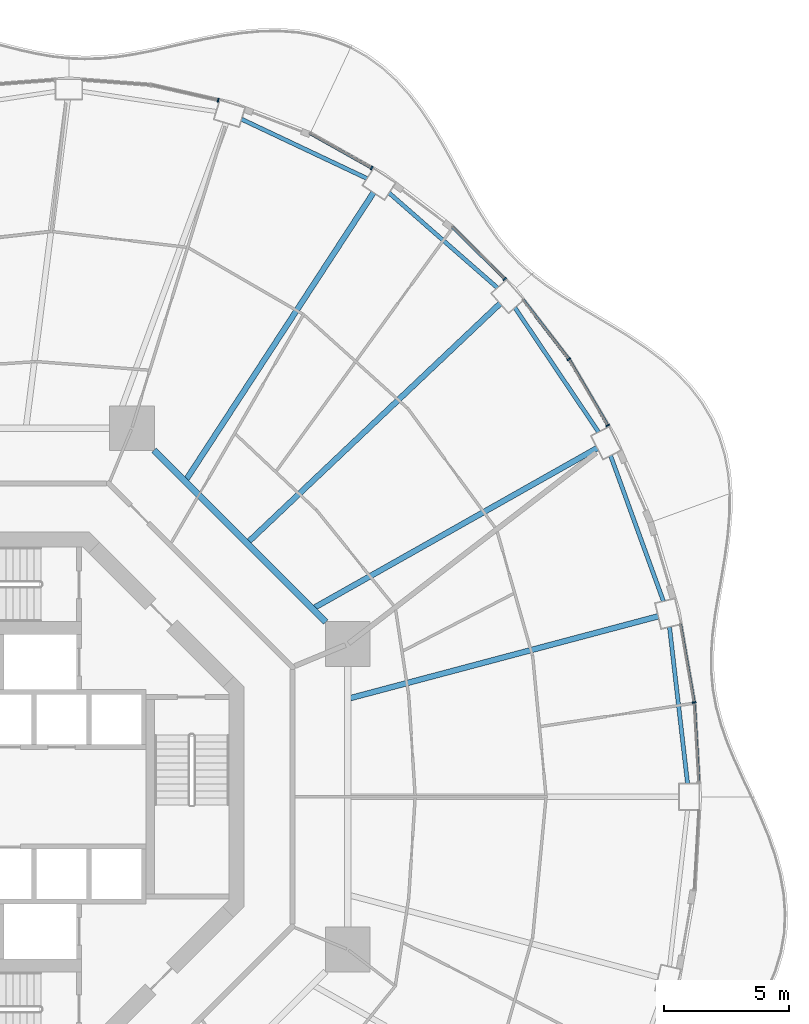
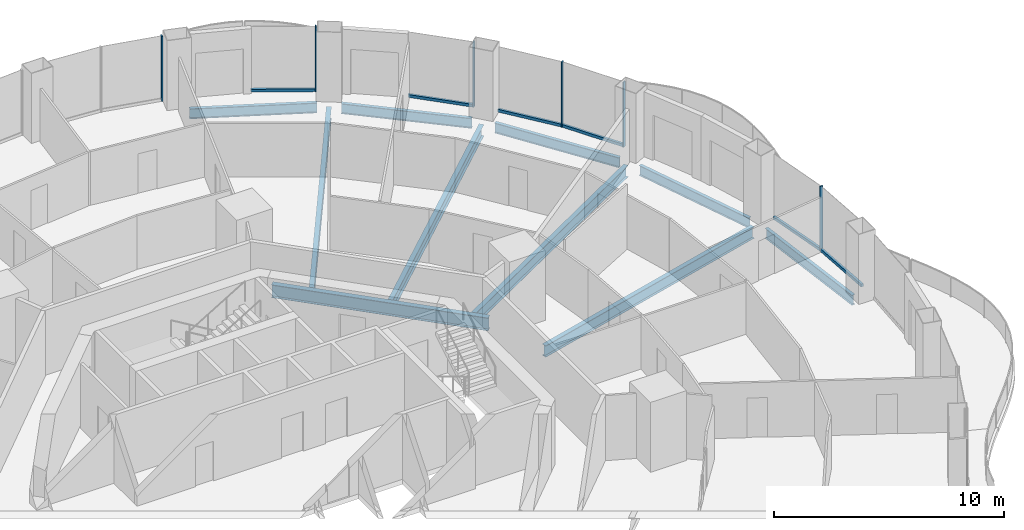
# One storey, part 8 of 19: 12 members, 10 beams, 7 elements without a shape of their own.
"""IFC4 building model written with IfcOpenShell, lengths in metres."""

from ifc_helpers import new_model, si_unit, direction, frame, origin, origin_2d, place, context, subcontext, project, spatial, rectangle, i_section, extrude, material, layer, layer_set, material_profile, profile_set, type_object, element, aggregate, save


model = new_model("IFC4")

# Units and contexts
model_context = context("Model", 3, precision=1e-05, world=origin(), true_north=direction((0.0, 1.0)))
body_context = subcontext(model_context, "Body", "Model", "MODEL_VIEW")
ifc_project = project(units=[si_unit("LENGTHUNIT", "METRE"), si_unit("AREAUNIT", "SQUARE_METRE"), si_unit("VOLUMEUNIT", "CUBIC_METRE"), si_unit("PLANEANGLEUNIT", "RADIAN"), si_unit("MASSUNIT", "GRAM", prefix="KILO")], contexts=[model_context])

# Site, building, storey
site_placement = place(None, origin())
site = spatial("IfcSite", under=ifc_project, at=site_placement, CompositionType="ELEMENT")
building_placement = place(site_placement, origin())
building = spatial("IfcBuilding", under=site, at=building_placement, Name="Nagisa Residences", CompositionType="ELEMENT")
storey_placement = place(building_placement, frame((0.0, 0.0, 199.199951171875)))
storey = spatial("IfcBuildingStorey", under=building, at=storey_placement, Name="L50", CompositionType="ELEMENT", Elevation=199.199951171875)

# Curtain wall, member
ifc_material_1 = material(Name="Concrete-coloured aluminium curtain wall system", Category="concrete")
ifc_layer = layer(ifc_material_1, 0.159912109375)
ifc_layer_set = layer_set([ifc_layer], Name="CW1 CURTAIN WALL")
curtain_wall_type = type_object("IfcCurtainWallType", Name="CW1 CURTAIN WALL", PredefinedType="NOTDEFINED", material=ifc_layer_set)
curtain_wall_1_placement = place(storey_placement, origin())
curtain_wall_1 = element("IfcCurtainWall", 1, at=curtain_wall_1_placement, inside=storey, type_object=curtain_wall_type, Name="cw:CW1:L50:01", PredefinedType="NOTDEFINED")
ifc_material_2 = material(Name="Concrete-coloured aluminium", Category="concrete")
ifc_material_profile_1 = material_profile(ifc_material_2, rectangle(XDim=0.159912109375, YDim=0.06005859375, at=origin_2d()), Name="CW1 MULLION 160x60")
ifc_profile_set_1 = profile_set([ifc_material_profile_1], Name="Concrete-coloured aluminium")
member_type_1 = type_object("IfcMemberType", Name="CW1 MULLION 160x60", PredefinedType="MULLION", material=ifc_profile_set_1)
member_1_placement = place(storey_placement, frame((28.673828125, 3.78466796875, 0.0), z_axis=(0.0, 0.0, 1.0), x_axis=(-0.985063604377, -0.172190868898, 0.0)))
member_1 = element("IfcMember", 2, at=member_1_placement, type_object=member_type_1, Name="CW1 mullion", PredefinedType="MULLION", context=body_context, shape_type="SweptSolid", body=[
    extrude(rectangle(XDim=0.159912109375, YDim=0.06005859375, at=origin_2d()), origin(), (0.0, 0.0, 1.0), 3.43994140625),
])

curtain_wall_2_placement = place(storey_placement, origin())
curtain_wall_2 = element("IfcCurtainWall", 3, at=curtain_wall_2_placement, inside=storey, type_object=curtain_wall_type, Name="cw:CW1:L50:04", PredefinedType="NOTDEFINED")
member_2_placement = place(storey_placement, frame((25.212646484375, 14.897216796875, 0.0), z_axis=(0.0, 0.0, 1.0), x_axis=(-0.862328898214, -0.506348567002, 0.0)))
member_2 = element("IfcMember", 4, at=member_2_placement, type_object=member_type_1, Name="CW1 mullion", PredefinedType="MULLION", context=body_context, shape_type="SweptSolid", body=[
    extrude(rectangle(XDim=0.159912109375, YDim=0.06005859375, at=origin_2d()), origin(), (0.0, 0.0, 1.0), 3.43994140625),
])

curtain_wall_3_placement = place(storey_placement, origin())
curtain_wall_3 = element("IfcCurtainWall", 5, at=curtain_wall_3_placement, inside=storey, type_object=curtain_wall_type, Name="cw:CW1:L50:05", PredefinedType="NOTDEFINED")
member_3_placement = place(storey_placement, frame((23.649658203125, 17.552978515625, 0.0), z_axis=(0.0, 0.0, 1.0), x_axis=(-0.792070340816, -0.610429828235, 0.0)))
member_3 = element("IfcMember", 6, at=member_3_placement, type_object=member_type_1, Name="CW1 mullion", PredefinedType="MULLION", context=body_context, shape_type="SweptSolid", body=[
    extrude(rectangle(XDim=0.159912109375, YDim=0.06005859375, at=origin_2d()), origin(), (0.0, 0.0, 1.0), 3.43994140625),
])

curtain_wall_4_placement = place(storey_placement, origin())
curtain_wall_4 = element("IfcCurtainWall", 7, at=curtain_wall_4_placement, inside=storey, type_object=curtain_wall_type, Name="cw:CW1:L50:06", PredefinedType="NOTDEFINED")
member_4_placement = place(storey_placement, frame((21.07568359375, 20.770751953125, 0.0), z_axis=(0.0, 0.0, 1.0), x_axis=(-0.706376885714, -0.707835924016, 0.0)))
member_4 = element("IfcMember", 8, at=member_4_placement, type_object=member_type_1, Name="CW1 mullion", PredefinedType="MULLION", context=body_context, shape_type="SweptSolid", body=[
    extrude(rectangle(XDim=0.159912109375, YDim=0.06005859375, at=origin_2d()), origin(), (0.0, 0.0, 1.0), 3.43994140625),
])

curtain_wall_5_placement = place(storey_placement, origin())
curtain_wall_5 = element("IfcCurtainWall", 9, at=curtain_wall_5_placement, inside=storey, type_object=curtain_wall_type, Name="cw:CW1:L50:08", PredefinedType="NOTDEFINED")
member_5_placement = place(storey_placement, frame((15.742431640625, 25.220458984375, 0.0), z_axis=(0.0, 0.0, 1.0), x_axis=(-0.489376918501, -0.872072377523, 0.0)))
member_5 = element("IfcMember", 10, at=member_5_placement, type_object=member_type_1, Name="CW1 mullion", PredefinedType="MULLION", context=body_context, shape_type="SweptSolid", body=[
    extrude(rectangle(XDim=0.159912109375, YDim=0.06005859375, at=origin_2d()), origin(), (0.0, 0.0, 1.0), 3.43994140625),
])

curtain_wall_6_placement = place(storey_placement, origin())
curtain_wall_6 = element("IfcCurtainWall", 11, at=curtain_wall_6_placement, inside=storey, type_object=curtain_wall_type, Name="cw:CW1:L50:10", PredefinedType="NOTDEFINED")
member_6_placement = place(storey_placement, frame((9.584228515625, 27.941162109375, 0.0), z_axis=(0.0, 0.0, 1.0), x_axis=(-0.2207639201, -0.975327274089, 0.0)))
member_6 = element("IfcMember", 12, at=member_6_placement, type_object=member_type_1, Name="CW1 mullion", PredefinedType="MULLION", context=body_context, shape_type="SweptSolid", body=[
    extrude(rectangle(XDim=0.159912109375, YDim=0.06005859375, at=origin_2d()), origin(), (0.0, 0.0, 1.0), 3.43994140625),
])
aggregate(curtain_wall_6, [member_6])

curtain_wall_7_placement = place(storey_placement, origin())
curtain_wall_7 = element("IfcCurtainWall", 13, at=curtain_wall_7_placement, inside=storey, type_object=curtain_wall_type, Name="cw:CW1:L50:00", PredefinedType="NOTDEFINED")
ifc_material_3 = material(Name="Concrete-coloured aluminium", Category="concrete")
ifc_material_profile_2 = material_profile(ifc_material_3, rectangle(XDim=0.1201171875, YDim=0.14990234375, at=origin_2d()), Name="CW1 TRANSOM 120x150")
ifc_profile_set_2 = profile_set([ifc_material_profile_2], Name="Concrete-coloured aluminium")
member_type_2 = type_object("IfcMemberType", Name="CW1 TRANSOM 120x150", PredefinedType="USERDEFINED", material=ifc_profile_set_2)
member_7_placement = place(storey_placement, frame((28.863525390625, 0.54443359375, 0.074951171875), z_axis=(-0.057528345118, 0.998343873376, 0.0), x_axis=(-0.998343873376, -0.057528345118, 0.0)))
member_7 = element("IfcMember", 14, at=member_7_placement, type_object=member_type_2, Name="CW1 transom", ObjectType="TRANSOM", PredefinedType="USERDEFINED", context=body_context, shape_type="SweptSolid", body=[
    extrude(rectangle(XDim=0.1201171875, YDim=0.14990234375, at=origin_2d()), origin(), (0.0, 0.0, 1.0), 3.225341796875),
])
aggregate(curtain_wall_7, [member_7])

# Member
member_8_placement = place(storey_placement, frame((28.67919921875, 3.755126953125, 0.074951171875), z_axis=(-0.172236453102, 0.98505563509, 0.0), x_axis=(-0.98505563509, -0.172236453102, 0.0)))
member_8 = element("IfcMember", 15, at=member_8_placement, type_object=member_type_2, Name="CW1 transom", ObjectType="TRANSOM", PredefinedType="USERDEFINED", context=body_context, shape_type="SweptSolid", body=[
    extrude(rectangle(XDim=0.1201171875, YDim=0.14990234375, at=origin_2d()), origin(), (0.0, 0.0, 1.0), 3.210693359375),
])

aggregate(curtain_wall_1, [member_1, member_8])

member_9_placement = place(storey_placement, frame((25.22802734375, 14.871337890625, 0.074951171875), z_axis=(-0.506367803691, 0.862317602386, 0.0), x_axis=(-0.862317602386, -0.506367803691, 0.0)))
member_9 = element("IfcMember", 16, at=member_9_placement, type_object=member_type_2, Name="CW1 transom", ObjectType="TRANSOM", PredefinedType="USERDEFINED", context=body_context, shape_type="SweptSolid", body=[
    extrude(rectangle(XDim=0.1201171875, YDim=0.14990234375, at=origin_2d()), origin(), (0.0, 0.0, 1.0), 3.092041015625),
])

aggregate(curtain_wall_2, [member_2, member_9])

member_10_placement = place(storey_placement, frame((23.66796875, 17.529052734375, 0.074951171875), z_axis=(-0.610398538814, 0.792094453846, 0.0), x_axis=(-0.792094453846, -0.610398538814, 0.0)))
member_10 = element("IfcMember", 17, at=member_10_placement, type_object=member_type_2, Name="CW1 transom", ObjectType="TRANSOM", PredefinedType="USERDEFINED", context=body_context, shape_type="SweptSolid", body=[
    extrude(rectangle(XDim=0.1201171875, YDim=0.14990234375, at=origin_2d()), origin(), (0.0, 0.0, 1.0), 3.035400390625),
])

aggregate(curtain_wall_3, [member_3, member_10])

member_11_placement = place(storey_placement, frame((21.096923828125, 20.74951171875, 0.074951171875), z_axis=(-0.707803821372, 0.706409053206, 0.0), x_axis=(-0.706409053206, -0.707803821372, 0.0)))
member_11 = element("IfcMember", 18, at=member_11_placement, type_object=member_type_2, Name="CW1 transom", ObjectType="TRANSOM", PredefinedType="USERDEFINED", context=body_context, shape_type="SweptSolid", body=[
    extrude(rectangle(XDim=0.1201171875, YDim=0.14990234375, at=origin_2d()), origin(), (0.0, 0.0, 1.0), 2.9755859375),
])

aggregate(curtain_wall_4, [member_4, member_11])

member_12_placement = place(storey_placement, frame((15.768798828125, 25.205810546875, 0.074951171875), z_axis=(-0.872078262455, 0.489366431371, 0.0), x_axis=(-0.489366431371, -0.872078262455, 0.0)))
member_12 = element("IfcMember", 19, at=member_12_placement, type_object=member_type_2, Name="CW1 transom", ObjectType="TRANSOM", PredefinedType="USERDEFINED", context=body_context, shape_type="SweptSolid", body=[
    extrude(rectangle(XDim=0.1201171875, YDim=0.14990234375, at=origin_2d()), origin(), (0.0, 0.0, 1.0), 2.863525390625),
])

aggregate(curtain_wall_5, [member_5, member_12])

# Beams
ifc_material_4 = material(Name="Steel ASTM A572 Gr 50", Category="steel")
ifc_material_profile_3 = material_profile(ifc_material_4, i_section(OverallWidth=0.25390625, OverallDepth=0.68408203125, WebThickness=0.012451171875, FlangeThickness=0.018798828125, at=origin_2d()), Name="W690x140")
ifc_profile_set_3 = profile_set([ifc_material_profile_3], Name="Steel ASTM A572 Gr 50")
beam_type_1 = type_object("IfcBeamType", Name="Inner ring beam W690x140", PredefinedType="BEAM", material=ifc_profile_set_3)
beam_1_placement = place(storey_placement, frame((13.896240234375, 7.0087890625, -0.60205078125), z_axis=(-0.707106781187, 0.707106781187, 0.0), x_axis=(-0.707106781187, -0.707106781187, 0.0)))
element("IfcBeam", 20, at=beam_1_placement, inside=storey, type_object=beam_type_1, Name="beam:L50:ib1", PredefinedType="BEAM", context=body_context, shape_type="SweptSolid", body=[
    extrude(i_section(OverallWidth=0.25390625, OverallDepth=0.68408203125, WebThickness=0.012451171875, FlangeThickness=0.018798828125, at=origin_2d()), origin(), (0.0, 0.0, 1.0), 9.740234375),
])
ifc_material_5 = material(Name="Steel ASTM A572 Gr 50", Category="steel")
ifc_material_profile_4 = material_profile(ifc_material_5, i_section(OverallWidth=0.166015625, OverallDepth=0.534912109375, WebThickness=0.01025390625, FlangeThickness=0.0166015625, at=origin_2d()), Name="W530x85")
ifc_profile_set_4 = profile_set([ifc_material_profile_4], Name="Steel ASTM A572 Gr 50")
beam_type_2 = type_object("IfcBeamType", Name="Perimeter ring beam W530x85", PredefinedType="BEAM", material=ifc_profile_set_4)
beam_2_placement = place(storey_placement, frame((28.413818359375, 0.530029296875, -0.52734375), z_axis=(-0.11463289794, 0.993407921606, 0.0), x_axis=(-0.993407921606, -0.11463289794, 0.0)))
element("IfcBeam", 21, at=beam_2_placement, inside=storey, type_object=beam_type_2, Name="beam:L50:pb01", PredefinedType="BEAM", context=body_context, shape_type="SweptSolid", body=[
    extrude(i_section(OverallWidth=0.166015625, OverallDepth=0.534912109375, WebThickness=0.01025390625, FlangeThickness=0.0166015625, at=origin_2d()), origin(), (0.0, 0.0, 1.0), 6.325439453125),
])
beam_3_placement = place(storey_placement, frame((27.4453125, 7.845703125, -0.52734375), z_axis=(-0.341320243926, 0.939947068237, 0.0), x_axis=(-0.939947068237, -0.341320243926, 0.0)))
element("IfcBeam", 22, at=beam_3_placement, inside=storey, type_object=beam_type_2, Name="beam:L50:pb02", PredefinedType="BEAM", context=body_context, shape_type="SweptSolid", body=[
    extrude(i_section(OverallWidth=0.166015625, OverallDepth=0.534912109375, WebThickness=0.01025390625, FlangeThickness=0.0166015625, at=origin_2d()), origin(), (0.0, 0.0, 1.0), 6.212890625),
])
beam_4_placement = place(storey_placement, frame((24.84423828125, 14.630615234375, -0.52734375), z_axis=(-0.558152301307, 0.829738518177, 0.0), x_axis=(-0.829738518177, -0.558152301307, 0.0)))
element("IfcBeam", 23, at=beam_4_placement, inside=storey, type_object=beam_type_2, Name="beam:L50:pb03", PredefinedType="BEAM", context=body_context, shape_type="SweptSolid", body=[
    extrude(i_section(OverallWidth=0.166015625, OverallDepth=0.534912109375, WebThickness=0.01025390625, FlangeThickness=0.0166015625, at=origin_2d()), origin(), (0.0, 0.0, 1.0), 6.013916015625),
])
beam_5_placement = place(storey_placement, frame((20.786865234375, 20.416259765625, -0.52734375), z_axis=(-0.752461486776, 0.658636250838, 0.0), x_axis=(-0.658636250838, -0.752461486776, 0.0)))
element("IfcBeam", 24, at=beam_5_placement, inside=storey, type_object=beam_type_2, Name="beam:L50:pb04", PredefinedType="BEAM", context=body_context, shape_type="SweptSolid", body=[
    extrude(i_section(OverallWidth=0.166015625, OverallDepth=0.534912109375, WebThickness=0.01025390625, FlangeThickness=0.0166015625, at=origin_2d()), origin(), (0.0, 0.0, 1.0), 5.776611328125),
])
beam_6_placement = place(storey_placement, frame((15.553466796875, 24.80224609375, -0.52734375), z_axis=(-0.904157325884, 0.427199637232, 0.0), x_axis=(-0.427199637232, -0.904157325884, 0.0)))
element("IfcBeam", 25, at=beam_6_placement, inside=storey, type_object=beam_type_2, Name="beam:L50:pb05", PredefinedType="BEAM", context=body_context, shape_type="SweptSolid", body=[
    extrude(i_section(OverallWidth=0.166015625, OverallDepth=0.534912109375, WebThickness=0.01025390625, FlangeThickness=0.0166015625, at=origin_2d()), origin(), (0.0, 0.0, 1.0), 5.56396484375),
])
ifc_material_6 = material(Name="Steel ASTM A572 Gr 50", Category="steel")
ifc_material_profile_5 = material_profile(ifc_material_6, i_section(OverallWidth=0.22802734375, OverallDepth=0.60302734375, WebThickness=0.010498046875, FlangeThickness=0.014892578125, at=origin_2d()), Name="W610x101")
ifc_profile_set_5 = profile_set([ifc_material_profile_5], Name="Steel ASTM A572 Gr 50")
beam_type_3 = type_object("IfcBeamType", Name="Radial beam W610x101", PredefinedType="BEAM", material=ifc_profile_set_5)
beam_7_placement = place(storey_placement, frame((27.23583984375, 7.239990234375, -0.5615234375), z_axis=(-0.966436061719, -0.256907256826, 0.0), x_axis=(0.256907256826, -0.966436061719, 0.0)))
element("IfcBeam", 26, at=beam_7_placement, inside=storey, type_object=beam_type_3, Name="beam:L50:rb02", PredefinedType="BEAM", context=body_context, shape_type="SweptSolid", body=[
    extrude(i_section(OverallWidth=0.22802734375, OverallDepth=0.60302734375, WebThickness=0.010498046875, FlangeThickness=0.014892578125, at=origin_2d()), origin(), (0.0, 0.0, 1.0), 12.77490234375),
])
beam_8_placement = place(storey_placement, frame((24.789306640625, 13.98828125, -0.5615234375), z_axis=(-0.870904520395, -0.491452252366, 0.0), x_axis=(0.491452252366, -0.870904520395, 0.0)))
element("IfcBeam", 27, at=beam_8_placement, inside=storey, type_object=beam_type_3, Name="beam:L50:rb03", PredefinedType="BEAM", context=body_context, shape_type="SweptSolid", body=[
    extrude(i_section(OverallWidth=0.22802734375, OverallDepth=0.60302734375, WebThickness=0.010498046875, FlangeThickness=0.014892578125, at=origin_2d()), origin(), (0.0, 0.0, 1.0), 13.007080078125),
])
beam_9_placement = place(storey_placement, frame((20.89501953125, 19.785400390625, -0.5615234375), z_axis=(-0.726119962477, -0.687568033064, 0.0), x_axis=(0.687568033064, -0.726119962477, 0.0)))
element("IfcBeam", 28, at=beam_9_placement, inside=storey, type_object=beam_type_3, Name="beam:L50:rb04", PredefinedType="BEAM", context=body_context, shape_type="SweptSolid", body=[
    extrude(i_section(OverallWidth=0.22802734375, OverallDepth=0.60302734375, WebThickness=0.010498046875, FlangeThickness=0.014892578125, at=origin_2d()), origin(), (0.0, 0.0, 1.0), 13.88134765625),
])
beam_10_placement = place(storey_placement, frame((15.816162109375, 24.234375, -0.5615234375), z_axis=(-0.546541244511, -0.837432187135, 0.0), x_axis=(0.837432187135, -0.546541244511, 0.0)))
element("IfcBeam", 29, at=beam_10_placement, inside=storey, type_object=beam_type_3, Name="beam:L50:rb05", PredefinedType="BEAM", context=body_context, shape_type="SweptSolid", body=[
    extrude(i_section(OverallWidth=0.22802734375, OverallDepth=0.60302734375, WebThickness=0.010498046875, FlangeThickness=0.014892578125, at=origin_2d()), origin(), (0.0, 0.0, 1.0), 13.72412109375),
])

save(model, "model.ifc")
